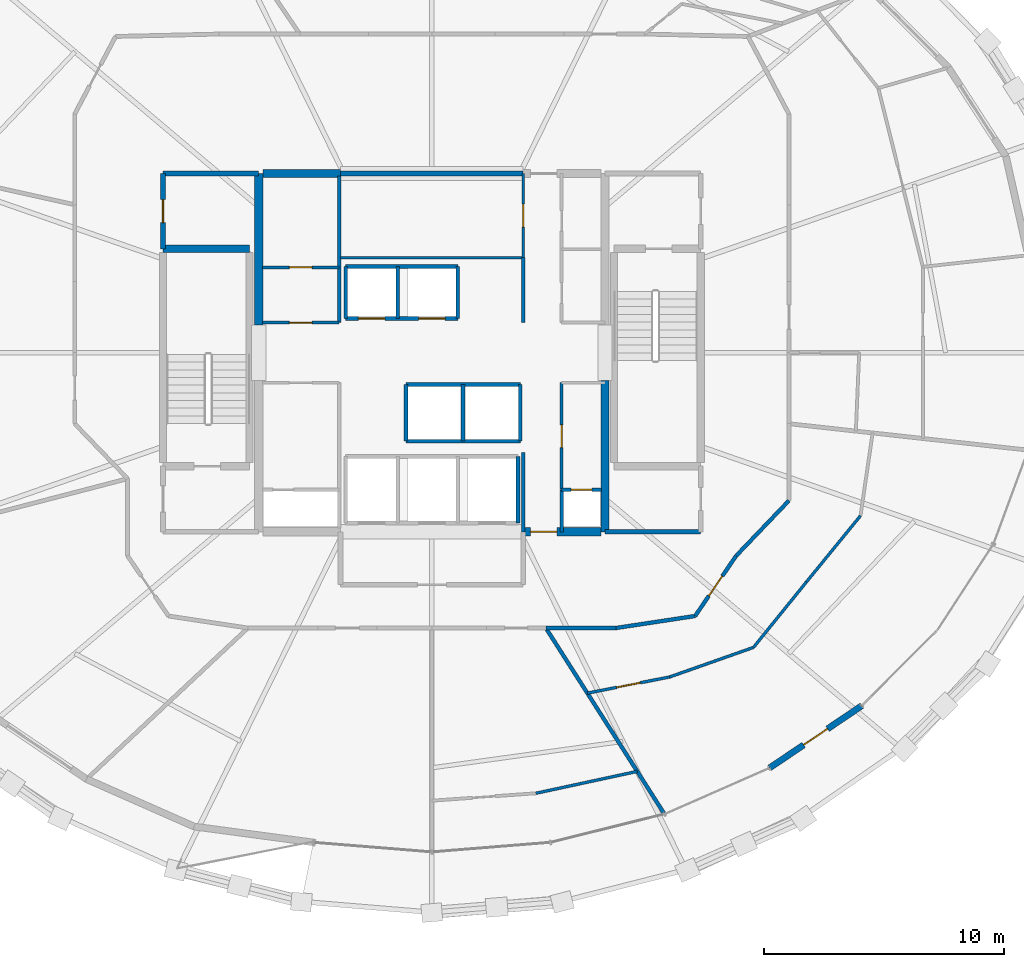
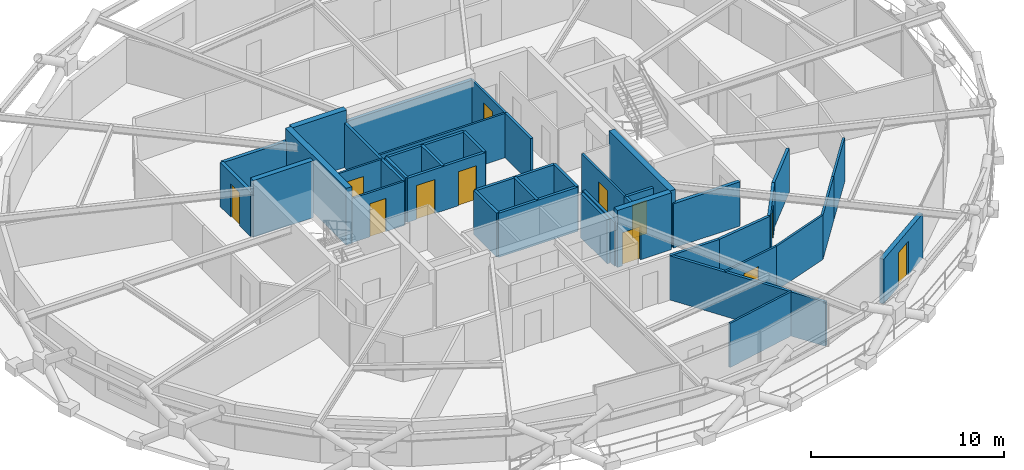
# One storey, part 14 of 17: 41 walls, 12 doors, 12 openings.
"""IFC4 building model written with IfcOpenShell, lengths in metres."""

from ifc_helpers import new_model, si_unit, direction, frame, frame_2d, origin, place, context, subcontext, project, spatial, rectangle, extrude, material, layer, layer_set, type_object, element, fill, save


model = new_model("IFC4")

# Units and contexts
model_context = context("Model", 3, precision=1e-05, world=origin(), true_north=direction((0.0, 1.0)))
body_context = subcontext(model_context, "Body", "Model", "MODEL_VIEW")
ifc_project = project(units=[si_unit("LENGTHUNIT", "METRE"), si_unit("AREAUNIT", "SQUARE_METRE"), si_unit("VOLUMEUNIT", "CUBIC_METRE"), si_unit("PLANEANGLEUNIT", "RADIAN"), si_unit("MASSUNIT", "GRAM", prefix="KILO")], contexts=[model_context])

# Site, building, storey
site_placement = place(None, origin())
site = spatial("IfcSite", under=ifc_project, at=site_placement, CompositionType="ELEMENT")
building_placement = place(site_placement, origin())
building = spatial("IfcBuilding", under=site, at=building_placement, Name="Veldorina Hangang Commons", CompositionType="ELEMENT")
storey_placement = place(building_placement, frame((0.0, 0.0, 178.39990234375)))
storey = spatial("IfcBuildingStorey", under=building, at=storey_placement, Name="L46", CompositionType="ELEMENT", Elevation=178.39990234375)

# Walls
ifc_material_1 = material(Name="Concrete C60/75", Category="concrete")
ifc_layer_1 = layer(ifc_material_1, 0.340087890625)
ifc_layer_set_1 = layer_set([ifc_layer_1], Name="Concrete C60/75")
wall_type_1 = type_object("IfcWallType", Name="CW-RC340-C60", PredefinedType="SHEAR", material=ifc_layer_set_1)
for number, where, z_axis, x_axis, name in (
    (1, (24.800048828125, 25.14990234375, 0.0), (0.0, 0.0, 1.0), (0.0, 1.0, 0.0), "L46 W north core shear wall"),
    (2, (39.199951171875, 16.550048828125, 0.0), (0.0, 0.0, 1.0), (0.0, 1.0, 0.0), "L46 E south core shear wall"),
):
    element("IfcWall", number, at=place(storey_placement, frame(where, z_axis=z_axis, x_axis=x_axis)), inside=storey, type_object=wall_type_1, Name=name, PredefinedType="SHEAR", context=body_context, shape_type="SweptSolid", body=[
        extrude(rectangle(XDim=6.300048828125, YDim=0.340087890625, at=frame_2d((3.14990234375, 0.0))), origin(), (0.0, 0.0, 1.0), 3.60009765625),
    ])

# Wall, opening, door
wall_1_placement = place(storey_placement, frame((35.800048828125, 16.550048828125, 0.0), z_axis=(0.0, 0.0, 1.0), x_axis=(1.0, 0.0, 0.0)))
wall_1 = element("IfcWall", 3, at=wall_1_placement, inside=storey, type_object=wall_type_1, Name="L46 south-east core shear wall", PredefinedType="SHEAR", context=body_context, shape_type="SweptSolid", body=[
    extrude(rectangle(XDim=3.22998046875, YDim=0.340087890625, at=frame_2d((1.614990234375, 0.0))), origin(), (0.0, 0.0, 1.0), 3.60009765625),
])
opening_1_placement = place(wall_1_placement, frame((0.300048828125, 0.0, 0.0)))
opening_1 = element("IfcOpeningElement", 4, at=opening_1_placement, cuts=wall_1, Name="Opening D-08", PredefinedType="OPENING", context=body_context, shape_type="SweptSolid", body=[
    extrude(rectangle(XDim=1.10009765625, YDim=2.10009765625, at=frame_2d((0.550048828125, 1.050048828125))), frame((0.0, 0.18017578125, 0.0), z_axis=(0.0, -1.0, 0.0), x_axis=(1.0, 0.0, 0.0)), (0.0, 0.0, 1.0), 0.360107421875),
])
ifc_material_2 = material(Name="Steel Fire-Rated Smoke Seal", Category="steel")
door_type_1 = type_object("IfcDoorType", Name="DR-FIRE-1100", OperationType="SINGLE_SWING_RIGHT", PredefinedType="DOOR", material=ifc_material_2)
door_1_placement = place(opening_1_placement, origin())
door_1 = element("IfcDoor", 5, at=door_1_placement, inside=storey, type_object=door_type_1, Name="L46 central lift lobby south corridor door", OperationType="SINGLE_SWING_RIGHT", OverallHeight=2.10009765625, OverallWidth=1.10009765625, PredefinedType="DOOR", context=body_context, shape_type="SweptSolid", body=[
    extrude(rectangle(XDim=1.10009765625, YDim=2.10009765625, at=frame_2d((0.550048828125, 1.050048828125))), frame((0.0, 0.02490234375, 0.0), z_axis=(0.0, -1.0, 0.0), x_axis=(1.0, 0.0, 0.0)), (0.0, 0.0, 1.0), 0.050048828125),
])
fill(opening_1, door_1)

# Wall
wall_2_placement = place(storey_placement, frame((24.969970703125, 31.449951171875, 0.0), z_axis=(0.0, 0.0, 1.0), x_axis=(1.0, 0.0, 0.0)))
element("IfcWall", 6, at=wall_2_placement, inside=storey, type_object=wall_type_1, Name="L46 north-west core shear wall", PredefinedType="SHEAR", context=body_context, shape_type="SweptSolid", body=[
    extrude(rectangle(XDim=3.22998046875, YDim=0.340087890625, at=frame_2d((1.614990234375, 0.0))), origin(), (0.0, 0.0, 1.0), 3.60009765625),
])

# Wall, opening, door
ifc_material_3 = material(Name="Stone Roman Travertine", Category="masonry")
ifc_layer_2 = layer(ifc_material_3, 0.260009765625)
ifc_layer_set_2 = layer_set([ifc_layer_2], Name="Stone Roman Travertine")
wall_type_2 = type_object("IfcWallType", Name="EW-LOGGIA-260", PredefinedType="STANDARD", material=ifc_layer_set_2)
wall_3_placement = place(storey_placement, frame((46.04443359375, 6.732177734375, 0.0), z_axis=(0.0, 0.0, 1.0), x_axis=(0.829153014487, 0.559021715649, 0.0)))
wall_3 = element("IfcWall", 7, at=wall_3_placement, inside=storey, type_object=wall_type_2, Name="L46 sky-garden loggia portal wall 27", PredefinedType="STANDARD", context=body_context, shape_type="SweptSolid", body=[
    extrude(rectangle(XDim=4.6201171875, YDim=0.260009765625, at=frame_2d((2.31005859375, 0.0))), origin(), (0.0, 0.0, 1.0), 2.820068359375),
])
opening_2_placement = place(wall_3_placement, frame((1.710205078125, 0.0, 0.0)))
opening_2 = element("IfcOpeningElement", 8, at=opening_2_placement, cuts=wall_3, Name="Opening BD-1200", PredefinedType="OPENING", context=body_context, shape_type="SweptSolid", body=[
    extrude(rectangle(XDim=1.199951171875, YDim=2.14990234375, at=frame_2d((0.60009765625, 1.074951171875))), frame((0.0, 0.14013671875, 0.0), z_axis=(0.0, -1.0, 0.0), x_axis=(1.0, 0.0, 0.0)), (0.0, 0.0, 1.0), 0.280029296875),
])
ifc_material_4 = material(Name="Glass Thermal Aluminium Frame", Category="aluminium")
door_type_2 = type_object("IfcDoorType", Name="DR-EXT-LOG1200", OperationType="SINGLE_SWING_LEFT", PredefinedType="DOOR", material=ifc_material_4)
door_2_placement = place(opening_2_placement, origin())
door_2 = element("IfcDoor", 9, at=door_2_placement, inside=storey, type_object=door_type_2, Name="L46 loggia glazed exterior door 27", OperationType="SINGLE_SWING_RIGHT", OverallHeight=2.14990234375, OverallWidth=1.199951171875, PredefinedType="DOOR", context=body_context, shape_type="SweptSolid", body=[
    extrude(rectangle(XDim=1.199951171875, YDim=2.14990234375, at=frame_2d((0.60009765625, 1.074951171875))), frame((0.0, 0.02490234375, 0.0), z_axis=(0.0, -1.0, 0.0), x_axis=(1.0, 0.0, 0.0)), (0.0, 0.0, 1.0), 0.050048828125),
])
fill(opening_2, door_2)

# Walls
ifc_material_5 = material(Name="Concrete C50/60", Category="concrete")
ifc_layer_3 = layer(ifc_material_5, 0.300048828125)
ifc_layer_set_3 = layer_set([ifc_layer_3], Name="Concrete C50/60")
wall_type_3 = type_object("IfcWallType", Name="SW-STAIR-300", PredefinedType="SHEAR", material=ifc_layer_set_3)
wall_4_placement = place(storey_placement, frame((20.820068359375, 28.320068359375, 0.0), z_axis=(0.0, 0.0, 1.0), x_axis=(1.0, 0.0, 0.0)))
element("IfcWall", 10, at=wall_4_placement, inside=storey, type_object=wall_type_3, Name="L46 ST1 north stair shear wall", PredefinedType="SHEAR", context=body_context, shape_type="SweptSolid", body=[
    extrude(rectangle(XDim=3.599853515625, YDim=0.300048828125, at=frame_2d((1.7998046875, 0.0))), origin(), (0.0, 0.0, 1.0), 3.60009765625),
])
ifc_material_6 = material(Name="Gypsum Fire-Rated Twin Stud Wall", Category="gypsum")
ifc_layer_4 = layer(ifc_material_6, 0.159912109375)
ifc_layer_set_4 = layer_set([ifc_layer_4], Name="Gypsum Fire-Rated Twin Stud Wall")
wall_type_4 = type_object("IfcWallType", Name="WL-FIRE-160", PredefinedType="SOLIDWALL", material=ifc_layer_set_4)
wall_5_placement = place(storey_placement, frame((35.800048828125, 16.550048828125, 0.0), z_axis=(0.0, 0.0, 1.0), x_axis=(0.0, 1.0, 0.0)))
element("IfcWall", 11, at=wall_5_placement, inside=storey, type_object=wall_type_4, Name="L46 Lift passage SW wall 009", PredefinedType="SOLIDWALL", context=body_context, shape_type="SweptSolid", body=[
    extrude(rectangle(XDim=3.300048828125, YDim=0.159912109375, at=frame_2d((1.64990234375, 0.0))), origin(), (0.0, 0.0, 1.0), 2.800048828125),
])
wall_6_placement = place(storey_placement, frame((37.39990234375, 16.550048828125, 0.0), z_axis=(0.0, 0.0, 1.0), x_axis=(0.0, 1.0, 0.0)))
element("IfcWall", 12, at=wall_6_placement, inside=storey, type_object=wall_type_4, Name="L46 Lift passage SE stub 010", PredefinedType="SOLIDWALL", context=body_context, shape_type="SweptSolid", body=[
    extrude(rectangle(XDim=1.75, YDim=0.159912109375, at=frame_2d((0.875, 0.0))), origin(), (0.0, 0.0, 1.0), 2.800048828125),
])
wall_7_placement = place(storey_placement, frame((35.800048828125, 25.25, 0.0), z_axis=(0.0, 0.0, 1.0), x_axis=(0.0, 1.0, 0.0)))
element("IfcWall", 13, at=wall_7_placement, inside=storey, type_object=wall_type_4, Name="L46 Lift passage NW lower wall 011", PredefinedType="SOLIDWALL", context=body_context, shape_type="SweptSolid", body=[
    extrude(rectangle(XDim=2.699951171875, YDim=0.159912109375, at=frame_2d((1.35009765625, 0.0))), origin(), (0.0, 0.0, 1.0), 2.800048828125),
])

# Wall, openings, doors
wall_8_placement = place(storey_placement, frame((28.419921875, 25.419921875, 0.0), z_axis=(0.0, 0.0, 1.0), x_axis=(1.0, 0.0, 0.0)))
wall_8 = element("IfcWall", 14, at=wall_8_placement, inside=storey, type_object=wall_type_4, Name="L46 Mid-high front shaft wall 015", PredefinedType="SOLIDWALL", context=body_context, shape_type="SweptSolid", body=[
    extrude(rectangle(XDim=4.66015625, YDim=0.159912109375, at=frame_2d((2.330078125, 0.0))), origin(), (0.0, 0.0, 1.0), 2.800048828125),
])
opening_3_placement = place(wall_8_placement, frame((0.530029296875, 0.0, 0.0)))
opening_3 = element("IfcOpeningElement", 15, at=opening_3_placement, cuts=wall_8, Name="Opening LD-01", PredefinedType="OPENING", context=body_context, shape_type="SweptSolid", body=[
    extrude(rectangle(XDim=1.10009765625, YDim=2.14990234375, at=frame_2d((0.550048828125, 1.074951171875))), frame((0.0, 0.08984375, 0.0), z_axis=(0.0, -1.0, 0.0), x_axis=(1.0, 0.0, 0.0)), (0.0, 0.0, 1.0), 0.179931640625),
])
opening_4_placement = place(wall_8_placement, frame((3.030029296875, 0.0, 0.0)))
opening_4 = element("IfcOpeningElement", 16, at=opening_4_placement, cuts=wall_8, Name="Opening LD-01", PredefinedType="OPENING", context=body_context, shape_type="SweptSolid", body=[
    extrude(rectangle(XDim=1.10009765625, YDim=2.14990234375, at=frame_2d((0.550048828125, 1.074951171875))), frame((0.0, 0.08984375, 0.0), z_axis=(0.0, -1.0, 0.0), x_axis=(1.0, 0.0, 0.0)), (0.0, 0.0, 1.0), 0.179931640625),
])
ifc_material_7 = material(Name="Stainless Steel Brushed Lift Door", Category="steel")
door_type_3 = type_object("IfcDoorType", Name="DR-LIFT-1100", OperationType="SLIDING_TO_LEFT", PredefinedType="DOOR", material=ifc_material_7)
door_3_placement = place(opening_3_placement, origin())
door_3 = element("IfcDoor", 17, at=door_3_placement, inside=storey, type_object=door_type_3, Name="L46 Lift PL-M1 landing door 006", OperationType="SLIDING_TO_RIGHT", OverallHeight=2.14990234375, OverallWidth=1.10009765625, PredefinedType="DOOR", context=body_context, shape_type="SweptSolid", body=[
    extrude(rectangle(XDim=1.10009765625, YDim=2.14990234375, at=frame_2d((0.550048828125, 1.074951171875))), frame((0.0, 0.02490234375, 0.0), z_axis=(0.0, -1.0, 0.0), x_axis=(1.0, 0.0, 0.0)), (0.0, 0.0, 1.0), 0.050048828125),
])
fill(opening_3, door_3)
door_4_placement = place(opening_4_placement, origin())
door_4 = element("IfcDoor", 18, at=door_4_placement, inside=storey, type_object=door_type_3, Name="L46 Lift PL-M2 landing door 007", OperationType="SLIDING_TO_RIGHT", OverallHeight=2.14990234375, OverallWidth=1.10009765625, PredefinedType="DOOR", context=body_context, shape_type="SweptSolid", body=[
    extrude(rectangle(XDim=1.10009765625, YDim=2.14990234375, at=frame_2d((0.550048828125, 1.074951171875))), frame((0.0, 0.02490234375, 0.0), z_axis=(0.0, -1.0, 0.0), x_axis=(1.0, 0.0, 0.0)), (0.0, 0.0, 1.0), 0.050048828125),
])
fill(opening_4, door_4)

# Walls
wall_9_placement = place(storey_placement, frame((28.419921875, 27.580078125, 0.0), z_axis=(0.0, 0.0, 1.0), x_axis=(1.0, 0.0, 0.0)))
element("IfcWall", 19, at=wall_9_placement, inside=storey, type_object=wall_type_4, Name="L46 Mid-high rear shaft wall 016", PredefinedType="SOLIDWALL", context=body_context, shape_type="SweptSolid", body=[
    extrude(rectangle(XDim=4.66015625, YDim=0.159912109375, at=frame_2d((2.330078125, 0.0))), origin(), (0.0, 0.0, 1.0), 2.800048828125),
])
for number, where, z_axis, x_axis, name in (
    (20, (28.419921875, 25.419921875, 0.0), (0.0, 0.0, 1.0), (0.0, 1.0, 0.0), "L46 PL-M1 west shaft wall 017"),
    (21, (30.580078125, 25.419921875, 0.0), (0.0, 0.0, 1.0), (0.0, 1.0, 0.0), "L46 PL-M1 east shaft wall 018"),
    (22, (33.080078125, 25.419921875, 0.0), (0.0, 0.0, 1.0), (0.0, 1.0, 0.0), "L46 PL-M2 east shaft wall 019"),
):
    element("IfcWall", number, at=place(storey_placement, frame(where, z_axis=z_axis, x_axis=x_axis)), inside=storey, type_object=wall_type_4, Name=name, PredefinedType="SOLIDWALL", context=body_context, shape_type="SweptSolid", body=[
        extrude(rectangle(XDim=2.16015625, YDim=0.159912109375, at=frame_2d((1.080078125, 0.0))), origin(), (0.0, 0.0, 1.0), 2.800048828125),
    ])
for number, where, z_axis, x_axis, name in (
    (23, (30.919921875, 22.679931640625, 0.0), (0.0, 0.0, 1.0), (1.0, 0.0, 0.0), "L46 Shuttle-high front shaft wall 020"),
    (24, (30.919921875, 20.320068359375, 0.0), (0.0, 0.0, 1.0), (1.0, 0.0, 0.0), "L46 Shuttle-high rear shaft wall 021"),
):
    element("IfcWall", number, at=place(storey_placement, frame(where, z_axis=z_axis, x_axis=x_axis)), inside=storey, type_object=wall_type_4, Name=name, PredefinedType="SOLIDWALL", context=body_context, shape_type="SweptSolid", body=[
        extrude(rectangle(XDim=4.760009765625, YDim=0.159912109375, at=frame_2d((2.3798828125, 0.0))), origin(), (0.0, 0.0, 1.0), 2.800048828125),
    ])
for number, where, z_axis, x_axis, name in (
    (25, (30.919921875, 20.320068359375, 0.0), (0.0, 0.0, 1.0), (0.0, 1.0, 0.0), "L46 SL-1 west shaft wall 022"),
    (26, (33.300048828125, 20.320068359375, 0.0), (0.0, 0.0, 1.0), (0.0, 1.0, 0.0), "L46 SL-1 east shaft wall 023"),
    (27, (35.679931640625, 20.320068359375, 0.0), (0.0, 0.0, 1.0), (0.0, 1.0, 0.0), "L46 SL-2 east shaft wall 024"),
):
    element("IfcWall", number, at=place(storey_placement, frame(where, z_axis=z_axis, x_axis=x_axis)), inside=storey, type_object=wall_type_4, Name=name, PredefinedType="SOLIDWALL", context=body_context, shape_type="SweptSolid", body=[
        extrude(rectangle(XDim=2.35986328125, YDim=0.159912109375, at=frame_2d((1.179931640625, 0.0))), origin(), (0.0, 0.0, 1.0), 2.800048828125),
    ])
wall_10_placement = place(storey_placement, frame((35.580078125, 16.919921875, 0.0), z_axis=(0.0, 0.0, 1.0), x_axis=(0.0, 1.0, 0.0)))
element("IfcWall", 28, at=wall_10_placement, inside=storey, type_object=wall_type_4, Name="L46 EVL-1 east shaft wall 030", PredefinedType="SOLIDWALL", context=body_context, shape_type="SweptSolid", body=[
    extrude(rectangle(XDim=2.760009765625, YDim=0.159912109375, at=frame_2d((1.3798828125, 0.0))), origin(), (0.0, 0.0, 1.0), 2.800048828125),
])

# Wall, opening, door
wall_11_placement = place(storey_placement, frame((37.39990234375, 18.300048828125, 0.0), z_axis=(0.0, 0.0, 1.0), x_axis=(1.0, 0.0, 0.0)))
wall_11 = element("IfcWall", 29, at=wall_11_placement, inside=storey, type_object=wall_type_4, Name="L46 Plumbing riser wall 036", PredefinedType="SOLIDWALL", context=body_context, shape_type="SweptSolid", body=[
    extrude(rectangle(XDim=1.650146484375, YDim=0.159912109375, at=frame_2d((0.8251953125, 0.0))), origin(), (0.0, 0.0, 1.0), 2.800048828125),
])
opening_5_placement = place(wall_11_placement, frame((0.39501953125, 0.0, 0.0)))
opening_5 = element("IfcOpeningElement", 30, at=opening_5_placement, cuts=wall_11, Name="Opening D-01N", PredefinedType="OPENING", context=body_context, shape_type="SweptSolid", body=[
    extrude(rectangle(XDim=0.860107421875, YDim=2.10009765625, at=frame_2d((0.43017578125, 1.050048828125))), frame((0.0, 0.08984375, 0.0), z_axis=(0.0, -1.0, 0.0), x_axis=(1.0, 0.0, 0.0)), (0.0, 0.0, 1.0), 0.179931640625),
])
ifc_material_8 = material(Name="Timber Fire-Rated Core", Category="wood")
door_type_4 = type_object("IfcDoorType", Name="DR-INT-860", OperationType="SINGLE_SWING_LEFT", PredefinedType="DOOR", material=ifc_material_8)
door_5_placement = place(opening_5_placement, origin())
door_5 = element("IfcDoor", 31, at=door_5_placement, inside=storey, type_object=door_type_4, Name="L46 Plumbing riser access door 013", OperationType="SINGLE_SWING_LEFT", OverallHeight=2.10009765625, OverallWidth=0.860107421875, PredefinedType="TRAPDOOR", context=body_context, shape_type="SweptSolid", body=[
    extrude(rectangle(XDim=0.860107421875, YDim=2.10009765625, at=frame_2d((0.43017578125, 1.050048828125))), frame((0.0, 0.02490234375, 0.0), z_axis=(0.0, -1.0, 0.0), x_axis=(1.0, 0.0, 0.0)), (0.0, 0.0, 1.0), 0.050048828125),
])
fill(opening_5, door_5)

# Walls
wall_12_placement = place(storey_placement, frame((28.14990234375, 25.25, 0.0), z_axis=(0.0, 0.0, 1.0), x_axis=(0.0, 1.0, 0.0)))
element("IfcWall", 32, at=wall_12_placement, inside=storey, type_object=wall_type_4, Name="L46 NW core inner wall 037", PredefinedType="SOLIDWALL", context=body_context, shape_type="SweptSolid", body=[
    extrude(rectangle(XDim=6.10009765625, YDim=0.159912109375, at=frame_2d((3.050048828125, 0.0))), origin(), (0.0, 0.0, 1.0), 2.800048828125),
])
wall_13_placement = place(storey_placement, frame((36.74267578125, 12.550048828125, 0.0), z_axis=(0.0, 0.0, 1.0), x_axis=(1.0, 0.0, 0.0)))
element("IfcWall", 33, at=wall_13_placement, inside=storey, type_object=wall_type_4, Name="L46 U-corridor outer wall 26 072", PredefinedType="SOLIDWALL", context=body_context, shape_type="SweptSolid", body=[
    extrude(rectangle(XDim=2.907958984375, YDim=0.159912109375, at=frame_2d((1.4541015625, 0.0))), origin(), (0.0, 0.0, 1.0), 2.800048828125),
])
wall_14_placement = place(storey_placement, frame((39.650634765625, 12.550048828125, 0.0), z_axis=(0.0, 0.0, 1.0), x_axis=(0.988710906508, 0.149835721217, 0.0)))
element("IfcWall", 34, at=wall_14_placement, inside=storey, type_object=wall_type_4, Name="L46 U-corridor outer wall 27 073", PredefinedType="SOLIDWALL", context=body_context, shape_type="SweptSolid", body=[
    extrude(rectangle(XDim=3.3369140625, YDim=0.159912109375, at=frame_2d((1.66845703125, 0.0))), origin(), (0.0, 0.0, 1.0), 2.800048828125),
])

# Wall, opening, door
wall_15_placement = place(storey_placement, frame((42.949951171875, 13.050048828125, 0.0), z_axis=(0.0, 0.0, 1.0), x_axis=(0.562674669208, 0.826678423955, 0.0)))
wall_15 = element("IfcWall", 35, at=wall_15_placement, inside=storey, type_object=wall_type_4, Name="L46 U-corridor outer wall 28 074", PredefinedType="SOLIDWALL", context=body_context, shape_type="SweptSolid", body=[
    extrude(rectangle(XDim=3.021240234375, YDim=0.159912109375, at=frame_2d((1.5107421875, 0.0))), origin(), (0.0, 0.0, 1.0), 2.800048828125),
])
opening_6_placement = place(wall_15_placement, frame((1.010498046875, 0.0, 0.0)))
opening_6 = element("IfcOpeningElement", 36, at=opening_6_placement, cuts=wall_15, Name="Opening D-05", PredefinedType="OPENING", context=body_context, shape_type="SweptSolid", body=[
    extrude(rectangle(XDim=1.0, YDim=2.10009765625, at=frame_2d((0.5, 1.050048828125))), frame((0.0, 0.08984375, 0.0), z_axis=(0.0, -1.0, 0.0), x_axis=(1.0, 0.0, 0.0)), (0.0, 0.0, 1.0), 0.179931640625),
])
ifc_material_9 = material(Name="Timber Solid Core Acoustic", Category="wood")
door_type_5 = type_object("IfcDoorType", Name="DR-INT-1000", OperationType="SINGLE_SWING_RIGHT", PredefinedType="DOOR", material=ifc_material_9)
door_6_placement = place(opening_6_placement, origin())
door_6 = element("IfcDoor", 37, at=door_6_placement, inside=storey, type_object=door_type_5, Name="L46 Commons alcove door 020", OperationType="SINGLE_SWING_RIGHT", OverallHeight=2.10009765625, OverallWidth=1.0, PredefinedType="DOOR", context=body_context, shape_type="SweptSolid", body=[
    extrude(rectangle(XDim=1.0, YDim=2.10009765625, at=frame_2d((0.5, 1.050048828125))), frame((0.0, 0.02490234375, 0.0), z_axis=(0.0, -1.0, 0.0), x_axis=(1.0, 0.0, 0.0)), (0.0, 0.0, 1.0), 0.050048828125),
])
fill(opening_6, door_6)

# Walls
wall_16_placement = place(storey_placement, frame((44.64990234375, 15.547607421875, 0.0), z_axis=(0.0, 0.0, 1.0), x_axis=(0.691055487108, 0.722801711216, 0.0)))
element("IfcWall", 38, at=wall_16_placement, inside=storey, type_object=wall_type_4, Name="L46 U-corridor outer wall 29 075", PredefinedType="SOLIDWALL", context=body_context, shape_type="SweptSolid", body=[
    extrude(rectangle(XDim=3.183837890625, YDim=0.159912109375, at=frame_2d((1.591796875, 0.0))), origin(), (0.0, 0.0, 1.0), 2.800048828125),
])
wall_17_placement = place(storey_placement, frame((36.74267578125, 12.550048828125, 0.0), z_axis=(0.0, 0.0, 1.0), x_axis=(0.537486473019, -0.84327237078, 0.0)))
element("IfcWall", 39, at=wall_17_placement, inside=storey, type_object=wall_type_4, Name="L46 Unit party wall 26 078", PredefinedType="SOLIDWALL", context=body_context, shape_type="SweptSolid", body=[
    extrude(rectangle(XDim=9.125, YDim=0.159912109375, at=frame_2d((4.5625, 0.0))), origin(), (0.0, 0.0, 1.0), 2.800048828125),
])

# Wall, opening, door
ifc_material_10 = material(Name="Concrete Blockwork Fire Wall C30/37", Category="masonry")
ifc_layer_5 = layer(ifc_material_10, 0.199951171875)
ifc_layer_set_5 = layer_set([ifc_layer_5], Name="Concrete Blockwork Fire Wall C30/37")
wall_type_5 = type_object("IfcWallType", Name="WL-FIRE-200", PredefinedType="SOLIDWALL", material=ifc_layer_set_5)
wall_18_placement = place(storey_placement, frame((20.820068359375, 28.320068359375, 0.0), z_axis=(0.0, 0.0, 1.0), x_axis=(0.0, 1.0, 0.0)))
wall_18 = element("IfcWall", 40, at=wall_18_placement, inside=storey, type_object=wall_type_5, Name="L46 NW core room outer wall 005", PredefinedType="SOLIDWALL", context=body_context, shape_type="SweptSolid", body=[
    extrude(rectangle(XDim=3.1298828125, YDim=0.199951171875, at=frame_2d((1.56494140625, 0.0))), origin(), (0.0, 0.0, 1.0), 2.800048828125),
])
opening_7_placement = place(wall_18_placement, frame((1.090087890625, 0.0, 0.0)))
opening_7 = element("IfcOpeningElement", 41, at=opening_7_placement, cuts=wall_18, Name="Opening D-04", PredefinedType="OPENING", context=body_context, shape_type="SweptSolid", body=[
    extrude(rectangle(XDim=0.949951171875, YDim=2.10009765625, at=frame_2d((0.47509765625, 1.050048828125))), frame((0.0, 0.10986328125, 0.0), z_axis=(0.0, -1.0, 0.0), x_axis=(1.0, 0.0, 0.0)), (0.0, 0.0, 1.0), 0.219970703125),
])
ifc_material_11 = material(Name="Timber Accessible Flush Leaf", Category="wood")
door_type_6 = type_object("IfcDoorType", Name="DR-ACC-950", OperationType="SINGLE_SWING_LEFT", PredefinedType="DOOR", material=ifc_material_11)
door_7_placement = place(opening_7_placement, origin())
door_7 = element("IfcDoor", 42, at=door_7_placement, inside=storey, type_object=door_type_6, Name="L46 NW core WC door 003", OperationType="SINGLE_SWING_LEFT", OverallHeight=2.10009765625, OverallWidth=0.949951171875, PredefinedType="DOOR", context=body_context, shape_type="SweptSolid", body=[
    extrude(rectangle(XDim=0.949951171875, YDim=2.10009765625, at=frame_2d((0.47509765625, 1.050048828125))), frame((0.0, 0.02490234375, 0.0), z_axis=(0.0, -1.0, 0.0), x_axis=(1.0, 0.0, 0.0)), (0.0, 0.0, 1.0), 0.050048828125),
])
fill(opening_7, door_7)

# Walls
for number, where, z_axis, x_axis, name in (
    (43, (20.820068359375, 31.449951171875, 0.0), (0.0, 0.0, 1.0), (1.0, 0.0, 0.0), "L46 NW core room north wall 006"),
    (44, (39.199951171875, 16.550048828125, 0.0), (0.0, 0.0, 1.0), (1.0, 0.0, 0.0), "L46 SE core room south wall 008"),
):
    element("IfcWall", number, at=place(storey_placement, frame(where, z_axis=z_axis, x_axis=x_axis)), inside=storey, type_object=wall_type_5, Name=name, PredefinedType="SOLIDWALL", context=body_context, shape_type="SweptSolid", body=[
        extrude(rectangle(XDim=3.97998046875, YDim=0.199951171875, at=frame_2d((1.989990234375, 0.0))), origin(), (0.0, 0.0, 1.0), 2.800048828125),
    ])
wall_19_placement = place(storey_placement, frame((28.199951171875, 31.449951171875, 0.0), z_axis=(0.0, 0.0, 1.0), x_axis=(1.0, 0.0, 0.0)))
element("IfcWall", 45, at=wall_19_placement, inside=storey, type_object=wall_type_5, Name="L46 Merged north core wall 031", PredefinedType="SOLIDWALL", context=body_context, shape_type="SweptSolid", body=[
    extrude(rectangle(XDim=7.60009765625, YDim=0.199951171875, at=frame_2d((3.800048828125, 0.0))), origin(), (0.0, 0.0, 1.0), 2.800048828125),
])
ifc_material_12 = material(Name="Gypsum Acoustic Stud Partition", Category="gypsum")
ifc_layer_6 = layer(ifc_material_12, 0.1201171875)
ifc_layer_set_6 = layer_set([ifc_layer_6], Name="Gypsum Acoustic Stud Partition")
wall_type_6 = type_object("IfcWallType", Name="WL-PART-120", PredefinedType="PARTITIONING", material=ifc_layer_set_6)
wall_20_placement = place(storey_placement, frame((28.199951171875, 27.949951171875, 0.0), z_axis=(0.0, 0.0, 1.0), x_axis=(1.0, 0.0, 0.0)))
element("IfcWall", 46, at=wall_20_placement, inside=storey, type_object=wall_type_6, Name="L46 Merged north south wall 032", PredefinedType="PARTITIONING", context=body_context, shape_type="SweptSolid", body=[
    extrude(rectangle(XDim=7.60009765625, YDim=0.1201171875, at=frame_2d((3.800048828125, 0.0))), origin(), (0.0, 0.0, 1.0), 2.800048828125),
])

# Wall, opening, door
wall_21_placement = place(storey_placement, frame((35.800048828125, 27.949951171875, 0.0), z_axis=(0.0, 0.0, 1.0), x_axis=(0.0, 1.0, 0.0)))
wall_21 = element("IfcWall", 47, at=wall_21_placement, inside=storey, type_object=wall_type_6, Name="L46 Merged north east wall 033", PredefinedType="PARTITIONING", context=body_context, shape_type="SweptSolid", body=[
    extrude(rectangle(XDim=3.5, YDim=0.1201171875, at=frame_2d((1.75, 0.0))), origin(), (0.0, 0.0, 1.0), 2.800048828125),
])
opening_8_placement = place(wall_21_placement, frame((1.27490234375, 0.0, 0.0)))
opening_8 = element("IfcOpeningElement", 48, at=opening_8_placement, cuts=wall_21, Name="Opening D-02", PredefinedType="OPENING", context=body_context, shape_type="SweptSolid", body=[
    extrude(rectangle(XDim=0.949951171875, YDim=2.10009765625, at=frame_2d((0.47509765625, 1.050048828125))), frame((0.0, 0.070068359375, 0.0), z_axis=(0.0, -1.0, 0.0), x_axis=(1.0, 0.0, 0.0)), (0.0, 0.0, 1.0), 0.14013671875),
])
door_type_7 = type_object("IfcDoorType", Name="DR-INT-950", OperationType="SINGLE_SWING_LEFT", PredefinedType="DOOR", material=ifc_material_9)
door_8_placement = place(opening_8_placement, origin())
door_8 = element("IfcDoor", 49, at=door_8_placement, inside=storey, type_object=door_type_7, Name="L46 Merged north room lobby door 011", OperationType="SINGLE_SWING_LEFT", OverallHeight=2.10009765625, OverallWidth=0.949951171875, PredefinedType="DOOR", context=body_context, shape_type="SweptSolid", body=[
    extrude(rectangle(XDim=0.949951171875, YDim=2.10009765625, at=frame_2d((0.47509765625, 1.050048828125))), frame((0.0, 0.02490234375, 0.0), z_axis=(0.0, -1.0, 0.0), x_axis=(1.0, 0.0, 0.0)), (0.0, 0.0, 1.0), 0.050048828125),
])
fill(opening_8, door_8)

wall_22_placement = place(storey_placement, frame((24.949951171875, 25.25, 0.0), z_axis=(0.0, 0.0, 1.0), x_axis=(1.0, 0.0, 0.0)))
wall_22 = element("IfcWall", 50, at=wall_22_placement, inside=storey, type_object=wall_type_6, Name="L46 NW service south wall 038", PredefinedType="PARTITIONING", context=body_context, shape_type="SweptSolid", body=[
    extrude(rectangle(XDim=3.199951171875, YDim=0.1201171875, at=frame_2d((1.60009765625, 0.0))), origin(), (0.0, 0.0, 1.0), 2.800048828125),
])
opening_9_placement = place(wall_22_placement, frame((1.125, 0.0, 0.0)))
opening_9 = element("IfcOpeningElement", 51, at=opening_9_placement, cuts=wall_22, Name="Opening D-02", PredefinedType="OPENING", context=body_context, shape_type="SweptSolid", body=[
    extrude(rectangle(XDim=0.949951171875, YDim=2.10009765625, at=frame_2d((0.47509765625, 1.050048828125))), frame((0.0, 0.070068359375, 0.0), z_axis=(0.0, -1.0, 0.0), x_axis=(1.0, 0.0, 0.0)), (0.0, 0.0, 1.0), 0.14013671875),
])
door_9_placement = place(opening_9_placement, origin())
door_9 = element("IfcDoor", 52, at=door_9_placement, inside=storey, type_object=door_type_7, Name="L46 Housekeeping pantry door 014", OperationType="SINGLE_SWING_RIGHT", OverallHeight=2.10009765625, OverallWidth=0.949951171875, PredefinedType="DOOR", context=body_context, shape_type="SweptSolid", body=[
    extrude(rectangle(XDim=0.949951171875, YDim=2.10009765625, at=frame_2d((0.47509765625, 1.050048828125))), frame((0.0, 0.02490234375, 0.0), z_axis=(0.0, -1.0, 0.0), x_axis=(1.0, 0.0, 0.0)), (0.0, 0.0, 1.0), 0.050048828125),
])
fill(opening_9, door_9)

wall_23_placement = place(storey_placement, frame((37.39990234375, 18.300048828125, 0.0), z_axis=(0.0, 0.0, 1.0), x_axis=(0.0, 1.0, 0.0)))
wall_23 = element("IfcWall", 53, at=wall_23_placement, inside=storey, type_object=wall_type_6, Name="L46 SE strip lobby wall 042", PredefinedType="PARTITIONING", context=body_context, shape_type="SweptSolid", body=[
    extrude(rectangle(XDim=4.449951171875, YDim=0.1201171875, at=frame_2d((2.22509765625, 0.0))), origin(), (0.0, 0.0, 1.0), 2.800048828125),
])
opening_10_placement = place(wall_23_placement, frame((1.75, 0.0, 0.0)))
opening_10 = element("IfcOpeningElement", 54, at=opening_10_placement, cuts=wall_23, Name="Opening D-02", PredefinedType="OPENING", context=body_context, shape_type="SweptSolid", body=[
    extrude(rectangle(XDim=0.949951171875, YDim=2.10009765625, at=frame_2d((0.47509765625, 1.050048828125))), frame((0.0, 0.070068359375, 0.0), z_axis=(0.0, -1.0, 0.0), x_axis=(1.0, 0.0, 0.0)), (0.0, 0.0, 1.0), 0.14013671875),
])
door_10_placement = place(opening_10_placement, origin())
door_10 = element("IfcDoor", 55, at=door_10_placement, inside=storey, type_object=door_type_7, Name="L46 Cleaners supply door 019", OperationType="SINGLE_SWING_LEFT", OverallHeight=2.10009765625, OverallWidth=0.949951171875, PredefinedType="DOOR", context=body_context, shape_type="SweptSolid", body=[
    extrude(rectangle(XDim=0.949951171875, YDim=2.10009765625, at=frame_2d((0.47509765625, 1.050048828125))), frame((0.0, 0.02490234375, 0.0), z_axis=(0.0, -1.0, 0.0), x_axis=(1.0, 0.0, 0.0)), (0.0, 0.0, 1.0), 0.050048828125),
])
fill(opening_10, door_10)

wall_24_placement = place(storey_placement, frame((24.949951171875, 27.550048828125, 0.0), z_axis=(0.0, 0.0, 1.0), x_axis=(1.0, 0.0, 0.0)))
wall_24 = element("IfcWall", 56, at=wall_24_placement, inside=storey, type_object=wall_type_6, Name="L46 NW mid wall 044", PredefinedType="PARTITIONING", context=body_context, shape_type="SweptSolid", body=[
    extrude(rectangle(XDim=3.199951171875, YDim=0.1201171875, at=frame_2d((1.60009765625, 0.0))), origin(), (0.0, 0.0, 1.0), 2.800048828125),
])
opening_11_placement = place(wall_24_placement, frame((1.125, 0.0, 0.0)))
opening_11 = element("IfcOpeningElement", 57, at=opening_11_placement, cuts=wall_24, Name="Opening D-02", PredefinedType="OPENING", context=body_context, shape_type="SweptSolid", body=[
    extrude(rectangle(XDim=0.949951171875, YDim=2.10009765625, at=frame_2d((0.47509765625, 1.050048828125))), frame((0.0, 0.070068359375, 0.0), z_axis=(0.0, -1.0, 0.0), x_axis=(1.0, 0.0, 0.0)), (0.0, 0.0, 1.0), 0.14013671875),
])
door_11_placement = place(opening_11_placement, origin())
door_11 = element("IfcDoor", 58, at=door_11_placement, inside=storey, type_object=door_type_7, Name="L46 Bedding store door 015", OperationType="SINGLE_SWING_LEFT", OverallHeight=2.10009765625, OverallWidth=0.949951171875, PredefinedType="DOOR", context=body_context, shape_type="SweptSolid", body=[
    extrude(rectangle(XDim=0.949951171875, YDim=2.10009765625, at=frame_2d((0.47509765625, 1.050048828125))), frame((0.0, 0.02490234375, 0.0), z_axis=(0.0, -1.0, 0.0), x_axis=(1.0, 0.0, 0.0)), (0.0, 0.0, 1.0), 0.050048828125),
])
fill(opening_11, door_11)

wall_25_placement = place(storey_placement, frame((38.46875, 9.842041015625, 0.0), z_axis=(0.0, 0.0, 1.0), x_axis=(0.981253788754, 0.192720009485, 0.0)))
wall_25 = element("IfcWall", 59, at=wall_25_placement, inside=storey, type_object=wall_type_6, Name="L46 Lounge alcove split 0 079", PredefinedType="PARTITIONING", context=body_context, shape_type="SweptSolid", body=[
    extrude(rectangle(XDim=3.485107421875, YDim=0.1201171875, at=frame_2d((1.74267578125, 0.0))), origin(), (0.0, 0.0, 1.0), 2.800048828125),
])
opening_12_placement = place(wall_25_placement, frame((1.24267578125, 0.0, 0.0)))
opening_12 = element("IfcOpeningElement", 60, at=opening_12_placement, cuts=wall_25, Name="Opening D-05", PredefinedType="OPENING", context=body_context, shape_type="SweptSolid", body=[
    extrude(rectangle(XDim=1.0, YDim=2.10009765625, at=frame_2d((0.5, 1.050048828125))), frame((0.0, 0.070068359375, 0.0), z_axis=(0.0, -1.0, 0.0), x_axis=(1.0, 0.0, 0.0)), (0.0, 0.0, 1.0), 0.14013671875),
])
door_12_placement = place(opening_12_placement, origin())
door_12 = element("IfcDoor", 61, at=door_12_placement, inside=storey, type_object=door_type_5, Name="L46 Commons lounge door 021", OperationType="SINGLE_SWING_LEFT", OverallHeight=2.10009765625, OverallWidth=1.0, PredefinedType="DOOR", context=body_context, shape_type="SweptSolid", body=[
    extrude(rectangle(XDim=1.0, YDim=2.10009765625, at=frame_2d((0.5, 1.050048828125))), frame((0.0, 0.02490234375, 0.0), z_axis=(0.0, -1.0, 0.0), x_axis=(1.0, 0.0, 0.0)), (0.0, 0.0, 1.0), 0.050048828125),
])
fill(opening_12, door_12)

# Walls
wall_26_placement = place(storey_placement, frame((41.888427734375, 10.513671875, 0.0), z_axis=(0.0, 0.0, 1.0), x_axis=(0.943085422762, 0.332550575664, 0.0)))
element("IfcWall", 62, at=wall_26_placement, inside=storey, type_object=wall_type_6, Name="L46 Lounge alcove split 1 080", PredefinedType="PARTITIONING", context=body_context, shape_type="SweptSolid", body=[
    extrude(rectangle(XDim=3.69580078125, YDim=0.1201171875, at=frame_2d((1.847900390625, 0.0))), origin(), (0.0, 0.0, 1.0), 2.800048828125),
])
wall_27_placement = place(storey_placement, frame((45.373779296875, 11.74267578125, 0.0), z_axis=(0.0, 0.0, 1.0), x_axis=(0.629110070273, 0.777316228752, 0.0)))
element("IfcWall", 63, at=wall_27_placement, inside=storey, type_object=wall_type_6, Name="L46 Lounge alcove split 2 081", PredefinedType="PARTITIONING", context=body_context, shape_type="SweptSolid", body=[
    extrude(rectangle(XDim=3.50537109375, YDim=0.1201171875, at=frame_2d((1.752685546875, 0.0))), origin(), (0.0, 0.0, 1.0), 2.800048828125),
])
wall_28_placement = place(storey_placement, frame((47.5791015625, 14.467529296875, 0.0), z_axis=(0.0, 0.0, 1.0), x_axis=(0.632496792846, 0.774562978097, 0.0)))
element("IfcWall", 64, at=wall_28_placement, inside=storey, type_object=wall_type_6, Name="L46 Lounge alcove split 3 082", PredefinedType="PARTITIONING", context=body_context, shape_type="SweptSolid", body=[
    extrude(rectangle(XDim=3.553955078125, YDim=0.1201171875, at=frame_2d((1.77685546875, 0.0))), origin(), (0.0, 0.0, 1.0), 2.800048828125),
])
wall_29_placement = place(storey_placement, frame((36.322998046875, 5.67724609375, 0.0), z_axis=(0.0, 0.0, 1.0), x_axis=(0.97749681164, 0.210950191357, 0.0)))
element("IfcWall", 65, at=wall_29_placement, inside=storey, type_object=wall_type_6, Name="L46 Laundry split 1 106", PredefinedType="PARTITIONING", context=body_context, shape_type="SweptSolid", body=[
    extrude(rectangle(XDim=4.31689453125, YDim=0.1201171875, at=frame_2d((2.158447265625, 0.0))), origin(), (0.0, 0.0, 1.0), 2.800048828125),
])

save(model, "model.ifc")
